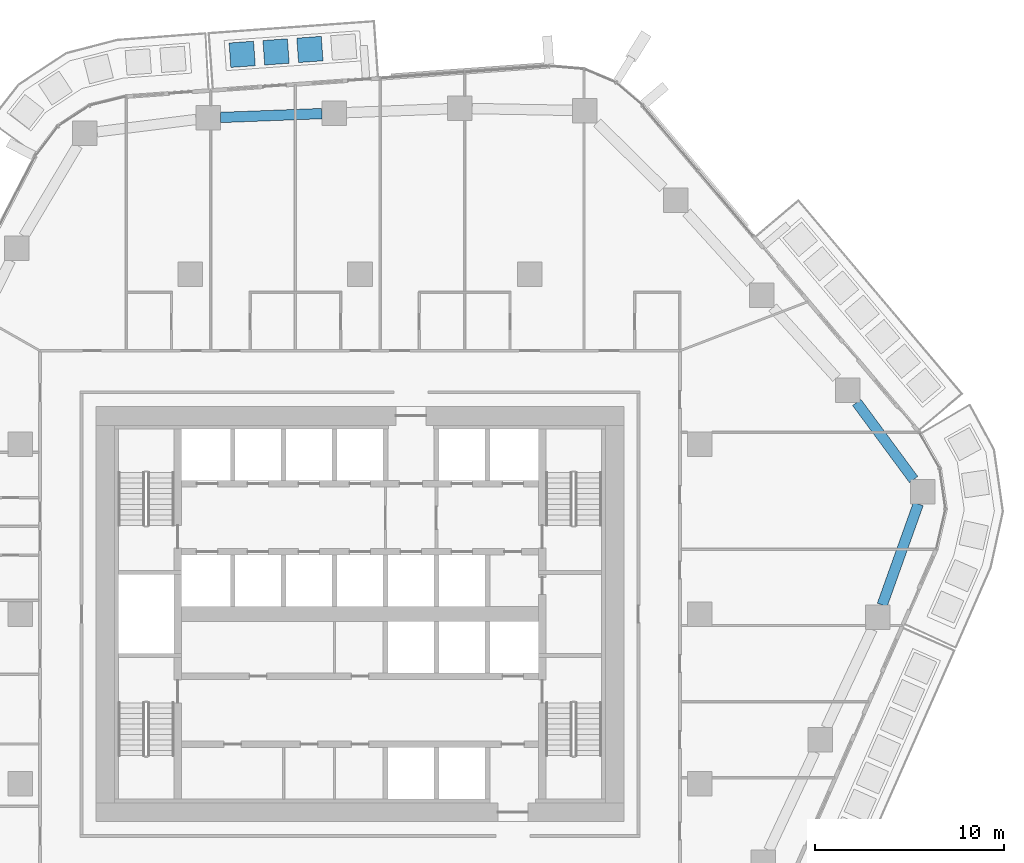
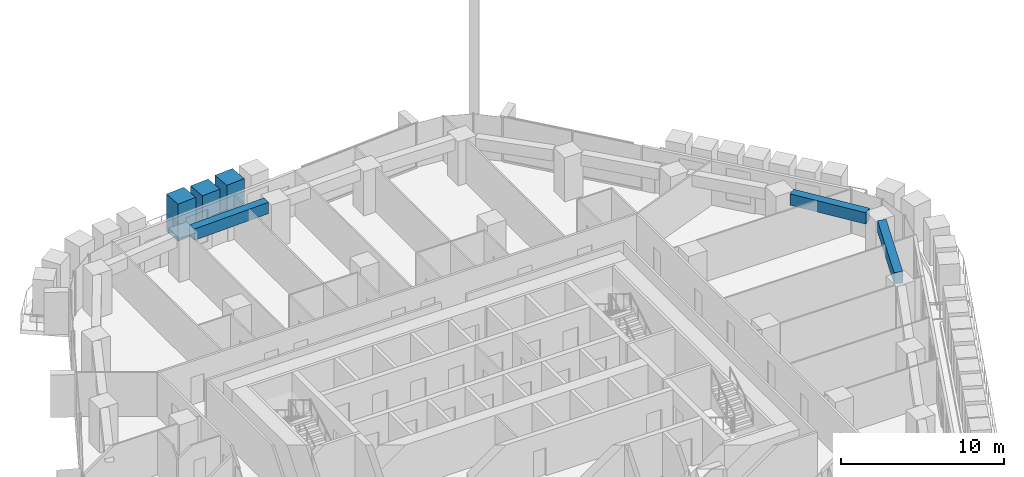
# One storey, part 7 of 24: 3 beams, 3 members.
"""IFC4 building model written with IfcOpenShell, lengths in metres."""

from ifc_helpers import new_model, si_unit, direction, frame, origin, origin_2d, place, context, subcontext, project, spatial, rectangle, extrude, material, material_profile, profile_set, type_object, element, save


model = new_model("IFC4")

# Units and contexts
model_context = context("Model", 3, precision=1e-05, world=origin(), true_north=direction((0.0, 1.0)))
body_context = subcontext(model_context, "Body", "Model", "MODEL_VIEW")
ifc_project = project(units=[si_unit("LENGTHUNIT", "METRE"), si_unit("AREAUNIT", "SQUARE_METRE"), si_unit("VOLUMEUNIT", "CUBIC_METRE"), si_unit("PLANEANGLEUNIT", "RADIAN"), si_unit("MASSUNIT", "GRAM", prefix="KILO")], contexts=[model_context])

# Site, building, storey
site_placement = place(None, origin())
site = spatial("IfcSite", under=ifc_project, at=site_placement, CompositionType="ELEMENT")
building_placement = place(site_placement, origin())
building = spatial("IfcBuilding", under=site, at=building_placement, Name="Dongbaek Canopy Tower", CompositionType="ELEMENT")
storey_placement = place(building_placement, frame((0.0, 0.0, 106.300048828125)))
storey = spatial("IfcBuildingStorey", under=building, at=storey_placement, Name="L22", CompositionType="ELEMENT", Elevation=106.300048828125)

# Beams
ifc_material_1 = material(Name="Concrete C80", Category="concrete")
ifc_material_profile_1 = material_profile(ifc_material_1, rectangle(XDim=0.550048828125, YDim=0.85009765625, at=origin_2d()), Name="RC EDGE BEAM 550x850 C80")
ifc_profile_set_1 = profile_set([ifc_material_profile_1], Name="Concrete C80")
beam_type = type_object("IfcBeamType", Name="RC EDGE BEAM 550x850 C80", PredefinedType="BEAM", material=ifc_profile_set_1)
beam_1_placement = place(storey_placement, frame((-7.39111328125, 26.31298828125, 2.875), z_axis=(0.999264392696, 0.038349361015, 0.0), x_axis=(-0.038349361015, 0.999264392696, 0.0)))
element("IfcBeam", 1, at=beam_1_placement, inside=storey, type_object=beam_type, Name="EDGEBEAM:L22:14", PredefinedType="BEAM", context=body_context, shape_type="SweptSolid", body=[
    extrude(rectangle(XDim=0.550048828125, YDim=0.85009765625, at=origin_2d()), origin(), (0.0, 0.0, 1.0), 5.373046875),
])
beam_2_placement = place(storey_placement, frame((26.320556640625, 11.2119140625, 2.875), z_axis=(0.593780308667, -0.804627208736, 0.0), x_axis=(0.804627208736, 0.593780308667, 0.0)))
element("IfcBeam", 2, at=beam_2_placement, inside=storey, type_object=beam_type, Name="EDGEBEAM:L22:20", PredefinedType="BEAM", context=body_context, shape_type="SweptSolid", body=[
    extrude(rectangle(XDim=0.550048828125, YDim=0.85009765625, at=origin_2d()), origin(), (0.0, 0.0, 1.0), 5.070556640625),
])
beam_3_placement = place(storey_placement, frame((29.578857421875, 5.83203125, 2.875), z_axis=(-0.33649709705, -0.941684503258, 0.0), x_axis=(0.941684503258, -0.33649709705, 0.0)))
element("IfcBeam", 3, at=beam_3_placement, inside=storey, type_object=beam_type, Name="EDGEBEAM:L22:21", PredefinedType="BEAM", context=body_context, shape_type="SweptSolid", body=[
    extrude(rectangle(XDim=0.550048828125, YDim=0.85009765625, at=origin_2d()), origin(), (0.0, 0.0, 1.0), 5.677978515625),
])

# Members
ifc_material_2 = material(Name="Concrete C40/50 planter mass with planting", Category="concrete")
ifc_material_profile_2 = material_profile(ifc_material_2, rectangle(XDim=1.300048828125, YDim=1.300048828125, at=origin_2d()), Name="Terrace PLANTER shrub mass 1300 x 1300")
ifc_profile_set_2 = profile_set([ifc_material_profile_2], Name="Concrete C40/50 planter mass with planting")
member_type = type_object("IfcMemberType", Name="Terrace PLANTER shrub mass 1300 x 1300", PredefinedType="USERDEFINED", material=ifc_profile_set_2)
member_1_placement = place(storey_placement, frame((-2.654541015625, 29.916015625, 0.419921875), z_axis=(0.0, 0.0, 1.0), x_axis=(-0.071742796309, 0.997423165551, 0.0)))
element("IfcMember", 4, at=member_1_placement, inside=storey, type_object=member_type, Name="Planter shrubs L22 2.2", ObjectType="PLANTER", PredefinedType="USERDEFINED", context=body_context, shape_type="SweptSolid", body=[
    extrude(rectangle(XDim=1.300048828125, YDim=1.300048828125, at=origin_2d()), origin(), (0.0, 0.0, 1.0), 2.77001953125),
])
member_2_placement = place(storey_placement, frame((-4.44873046875, 29.787109375, 0.419921875), z_axis=(0.0, 0.0, 1.0), x_axis=(-0.071742796309, 0.997423165551, 0.0)))
element("IfcMember", 5, at=member_2_placement, inside=storey, type_object=member_type, Name="Planter shrubs L22 2.3", ObjectType="PLANTER", PredefinedType="USERDEFINED", context=body_context, shape_type="SweptSolid", body=[
    extrude(rectangle(XDim=1.300048828125, YDim=1.300048828125, at=origin_2d()), origin(), (0.0, 0.0, 1.0), 2.68994140625),
])
member_3_placement = place(storey_placement, frame((-6.242919921875, 29.657958984375, 0.419921875), z_axis=(0.0, 0.0, 1.0), x_axis=(-0.071742796309, 0.997423165551, 0.0)))
element("IfcMember", 6, at=member_3_placement, inside=storey, type_object=member_type, Name="Planter shrubs L22 2.4", ObjectType="PLANTER", PredefinedType="USERDEFINED", context=body_context, shape_type="SweptSolid", body=[
    extrude(rectangle(XDim=1.300048828125, YDim=1.300048828125, at=origin_2d()), origin(), (0.0, 0.0, 1.0), 2.780029296875),
])

save(model, "model.ifc")
